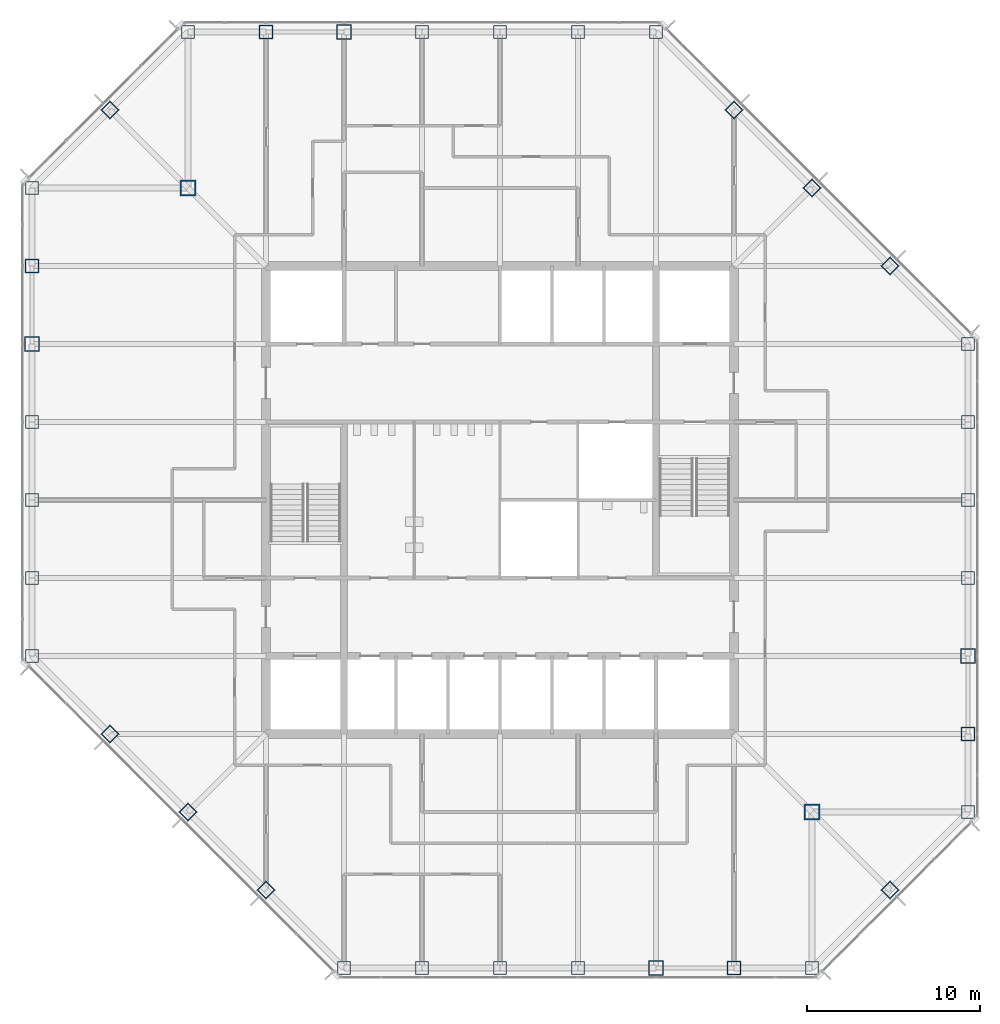
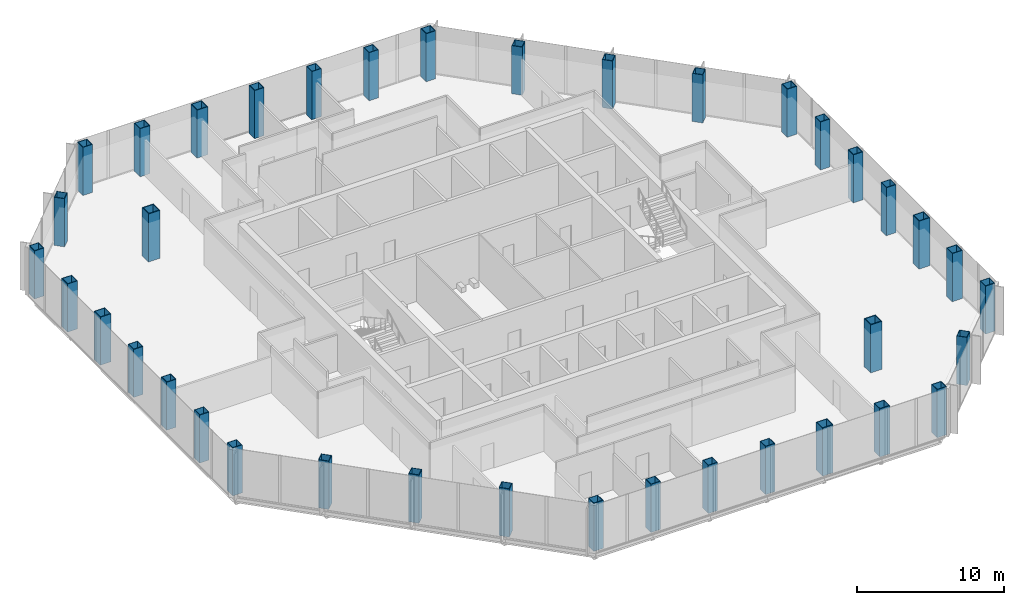
# One storey, part 1 of 13: 38 columns.
"""IFC4 building model written with IfcOpenShell, lengths in metres."""

from ifc_helpers import new_model, si_unit, direction, frame, origin, origin_2d, place, context, subcontext, project, spatial, hollow_rectangle, extrude, material, material_profile, profile_set, type_object, element, save


model = new_model("IFC4")

# Units and contexts
model_context = context("Model", 3, precision=1e-05, world=origin(), true_north=direction((0.0, 1.0)))
body_context = subcontext(model_context, "Body", "Model", "MODEL_VIEW")
ifc_project = project(units=[si_unit("LENGTHUNIT", "METRE"), si_unit("AREAUNIT", "SQUARE_METRE"), si_unit("VOLUMEUNIT", "CUBIC_METRE"), si_unit("PLANEANGLEUNIT", "RADIAN"), si_unit("MASSUNIT", "GRAM", prefix="KILO")], contexts=[model_context])

# Site, building, storey
site_placement = place(None, origin())
site = spatial("IfcSite", under=ifc_project, at=site_placement, CompositionType="ELEMENT")
building_placement = place(site_placement, origin())
building = spatial("IfcBuilding", under=site, at=building_placement, Name="Corais Broadcast Tower", CompositionType="ELEMENT")
storey_placement = place(building_placement, frame((0.0, 0.0, 119.60009765625)))
storey = spatial("IfcBuildingStorey", under=building, at=storey_placement, Name="L26", CompositionType="ELEMENT", Elevation=119.60009765625)

# Columns
ifc_material_1 = material(Name="Steel ASTM A572 Grade 50", Category="steel")
ifc_material_profile_1 = material_profile(ifc_material_1, hollow_rectangle(XDim=0.75, YDim=0.75, WallThickness=0.0400390625, at=origin_2d()), Name="BOX 750x750x40")
ifc_profile_set_1 = profile_set([ifc_material_profile_1], Name="Steel ASTM A572 Grade 50")
column_type_1 = type_object("IfcColumnType", Name="Column BOX 750x750x40", PredefinedType="COLUMN", material=ifc_profile_set_1)
for number, where, z_axis, x_axis, name in (
    (1, (18.0, 0.0, 0.0), (0.0, 0.0, 1.0), (1.0, 0.0, 0.0), "C4 A/7"),
    (2, (22.5, 0.0, 0.0), (0.0, 0.0, 1.0), (1.0, 0.0, 0.0), "C4 A/8"),
    (3, (27.0, 0.0, 0.0), (0.0, 0.0, 1.0), (1.0, 0.0, 0.0), "C4 A/9"),
    (4, (31.5, 0.0, 0.0), (0.0, 0.0, 1.0), (1.0, 0.0, 0.0), "C4 A/10"),
    (5, (45.0, 0.0, 0.0), (0.0, 0.0, 1.0), (1.0, 0.0, 0.0), "C4 A/13"),
    (6, (54.0, 9.0, 0.0), (0.0, 0.0, 1.0), (1.0, 0.0, 0.0), "C4 C/15"),
    (7, (54.0, 22.5, 0.0), (0.0, 0.0, 1.0), (1.0, 0.0, 0.0), "C4 F/15"),
    (8, (54.0, 27.0, 0.0), (0.0, 0.0, 1.0), (1.0, 0.0, 0.0), "C4 G/15"),
    (9, (54.0, 31.5, 0.0), (0.0, 0.0, 1.0), (1.0, 0.0, 0.0), "C4 H/15"),
    (10, (54.0, 36.0, 0.0), (0.0, 0.0, 1.0), (1.0, 0.0, 0.0), "C4 J/15"),
    (11, (36.0, 54.0, 0.0), (0.0, 0.0, 1.0), (1.0, 0.0, 0.0), "C4 N/11"),
    (12, (31.5, 54.0, 0.0), (0.0, 0.0, 1.0), (1.0, 0.0, 0.0), "C4 N/10"),
    (13, (27.0, 54.0, 0.0), (0.0, 0.0, 1.0), (1.0, 0.0, 0.0), "C4 N/9"),
    (14, (22.5, 54.0, 0.0), (0.0, 0.0, 1.0), (1.0, 0.0, 0.0), "C4 N/8"),
    (15, (9.0, 54.0, 0.0), (0.0, 0.0, 1.0), (1.0, 0.0, 0.0), "C4 N/5"),
    (16, (0.0, 45.0, 0.0), (0.0, 0.0, 1.0), (1.0, 0.0, 0.0), "C4 L/3"),
    (17, (0.0, 31.5, 0.0), (0.0, 0.0, 1.0), (1.0, 0.0, 0.0), "C4 H/3"),
    (18, (0.0, 27.0, 0.0), (0.0, 0.0, 1.0), (1.0, 0.0, 0.0), "C4 G/3"),
    (19, (0.0, 22.5, 0.0), (0.0, 0.0, 1.0), (1.0, 0.0, 0.0), "C4 F/3"),
    (20, (0.0, 18.0, 0.0), (0.0, 0.0, 1.0), (1.0, 0.0, 0.0), "C4 E/3"),
    (21, (13.5, 4.5, 0.0), (0.0, 0.0, 1.0), (0.707106781187, 0.707106781187, 0.0), "C4 B/6"),
    (22, (9.0, 9.0, 0.0), (0.0, 0.0, 1.0), (0.707106781187, 0.707106781187, 0.0), "C4 C/5"),
    (23, (4.5, 13.5, 0.0), (0.0, 0.0, 1.0), (0.707106781187, 0.707106781187, 0.0), "C4 D/4"),
    (24, (49.5, 4.5, 0.0), (0.0, 0.0, 1.0), (0.707106781187, 0.707106781187, 0.0), "C4 B/14"),
    (25, (49.5, 40.5, 0.0), (0.0, 0.0, 1.0), (0.707106781187, 0.707106781187, 0.0), "C4 K/14"),
    (26, (45.0, 45.0, 0.0), (0.0, 0.0, 1.0), (0.707106781187, 0.707106781187, 0.0), "C4 L/13"),
    (27, (40.5, 49.5, 0.0), (0.0, 0.0, 1.0), (0.707106781187, 0.707106781187, 0.0), "C4 M/12"),
    (28, (4.5, 49.5, 0.0), (0.0, 0.0, 1.0), (0.707106781187, 0.707106781187, 0.0), "C4 M/4"),
):
    element("IfcColumn", number, at=place(storey_placement, frame(where, z_axis=z_axis, x_axis=x_axis)), inside=storey, type_object=column_type_1, Name=name, PredefinedType="COLUMN", context=body_context, shape_type="SweptSolid", body=[
        extrude(hollow_rectangle(XDim=0.75, YDim=0.75, WallThickness=0.0400390625, at=origin_2d()), origin(), (0.0, 0.0, 1.0), 4.0),
    ])
ifc_material_2 = material(Name="Steel ASTM A572 Grade 50", Category="steel")
ifc_material_profile_2 = material_profile(ifc_material_2, hollow_rectangle(XDim=0.800048828125, YDim=0.800048828125, WallThickness=0.044921875, at=origin_2d()), Name="BOX 800x800x45")
ifc_profile_set_2 = profile_set([ifc_material_profile_2], Name="Steel ASTM A572 Grade 50")
column_type_2 = type_object("IfcColumnType", Name="Column BOX 800x800x45", PredefinedType="COLUMN", material=ifc_profile_set_2)
for number, where, z_axis, x_axis, name in (
    (29, (40.5, 0.0, 0.0), (0.0, 0.0, 1.0), (1.0, 0.0, 0.0), "C3 A/12"),
    (30, (54.0, 13.5, 0.0), (0.0, 0.0, 1.0), (1.0, 0.0, 0.0), "C3 D/15"),
    (31, (13.5, 54.0, 0.0), (0.0, 0.0, 1.0), (1.0, 0.0, 0.0), "C3 N/6"),
    (32, (0.0, 40.5, 0.0), (0.0, 0.0, 1.0), (1.0, 0.0, 0.0), "C3 K/3"),
):
    element("IfcColumn", number, at=place(storey_placement, frame(where, z_axis=z_axis, x_axis=x_axis)), inside=storey, type_object=column_type_2, Name=name, PredefinedType="COLUMN", context=body_context, shape_type="SweptSolid", body=[
        extrude(hollow_rectangle(XDim=0.800048828125, YDim=0.800048828125, WallThickness=0.044921875, at=origin_2d()), origin(), (0.0, 0.0, 1.0), 4.0),
    ])
ifc_material_3 = material(Name="Steel ASTM A572 Grade 50", Category="steel")
ifc_material_profile_3 = material_profile(ifc_material_3, hollow_rectangle(XDim=0.85009765625, YDim=0.85009765625, WallThickness=0.050048828125, at=origin_2d()), Name="BOX 850x850x50")
ifc_profile_set_3 = profile_set([ifc_material_profile_3], Name="Steel ASTM A572 Grade 50")
column_type_3 = type_object("IfcColumnType", Name="Column BOX 850x850x50", PredefinedType="COLUMN", material=ifc_profile_set_3)
for number, where, z_axis, x_axis, name in (
    (33, (36.0, 0.0, 0.0), (0.0, 0.0, 1.0), (1.0, 0.0, 0.0), "C1 A/11"),
    (34, (54.0, 18.0, 0.0), (0.0, 0.0, 1.0), (1.0, 0.0, 0.0), "C1 E/15"),
    (35, (18.0, 54.0, 0.0), (0.0, 0.0, 1.0), (1.0, 0.0, 0.0), "C1 N/7"),
    (36, (0.0, 36.0, 0.0), (0.0, 0.0, 1.0), (1.0, 0.0, 0.0), "C1 J/3"),
):
    element("IfcColumn", number, at=place(storey_placement, frame(where, z_axis=z_axis, x_axis=x_axis)), inside=storey, type_object=column_type_3, Name=name, PredefinedType="COLUMN", context=body_context, shape_type="SweptSolid", body=[
        extrude(hollow_rectangle(XDim=0.85009765625, YDim=0.85009765625, WallThickness=0.050048828125, at=origin_2d()), origin(), (0.0, 0.0, 1.0), 4.0),
    ])
ifc_material_4 = material(Name="Steel ASTM A572 Grade 50", Category="steel")
ifc_material_profile_4 = material_profile(ifc_material_4, hollow_rectangle(XDim=0.89990234375, YDim=0.89990234375, WallThickness=0.06298828125, at=origin_2d()), Name="BOX 900x900x63")
ifc_profile_set_4 = profile_set([ifc_material_profile_4], Name="Steel ASTM A572 Grade 50")
column_type_4 = type_object("IfcColumnType", Name="Column BOX 900x900x63", PredefinedType="COLUMN", material=ifc_profile_set_4)
for number, where, z_axis, x_axis, name in (
    (37, (45.0, 9.0, 0.0), (0.0, 0.0, 1.0), (1.0, 0.0, 0.0), "C2 C/13"),
    (38, (9.0, 45.0, 0.0), (0.0, 0.0, 1.0), (1.0, 0.0, 0.0), "C2 L/5"),
):
    element("IfcColumn", number, at=place(storey_placement, frame(where, z_axis=z_axis, x_axis=x_axis)), inside=storey, type_object=column_type_4, Name=name, PredefinedType="COLUMN", context=body_context, shape_type="SweptSolid", body=[
        extrude(hollow_rectangle(XDim=0.89990234375, YDim=0.89990234375, WallThickness=0.06298828125, at=origin_2d()), origin(), (0.0, 0.0, 1.0), 4.0),
    ])

save(model, "model.ifc")
